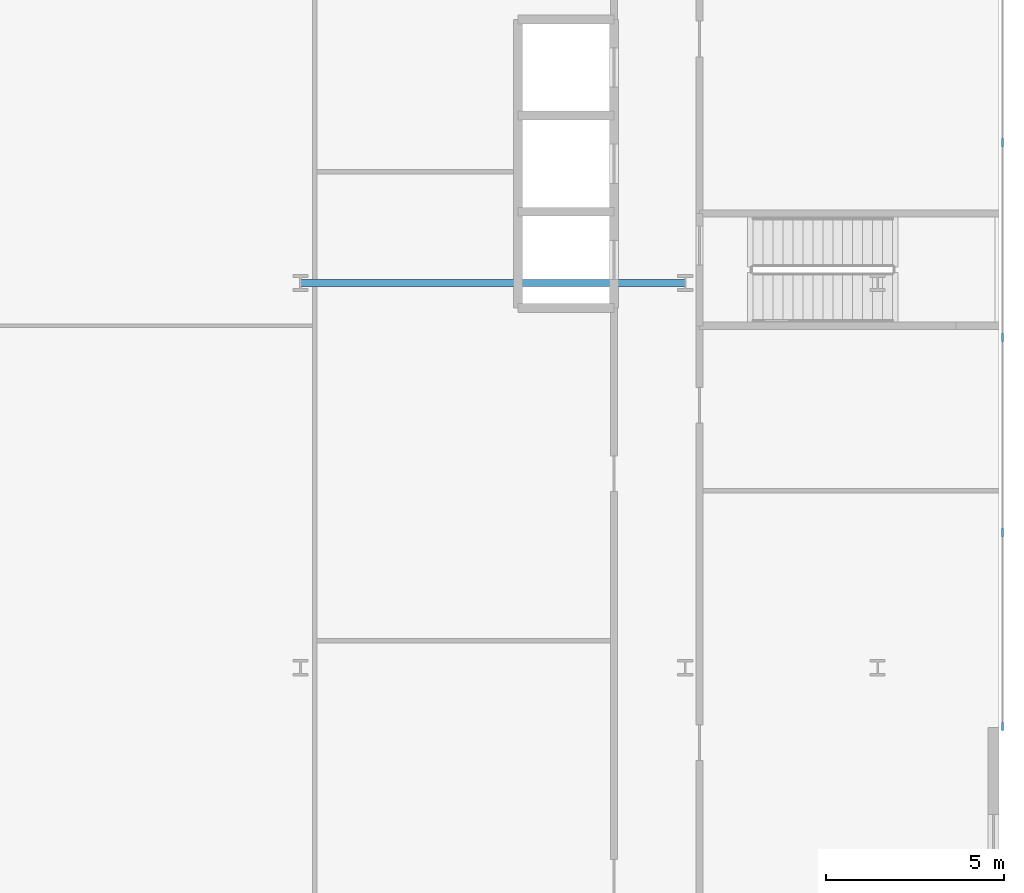
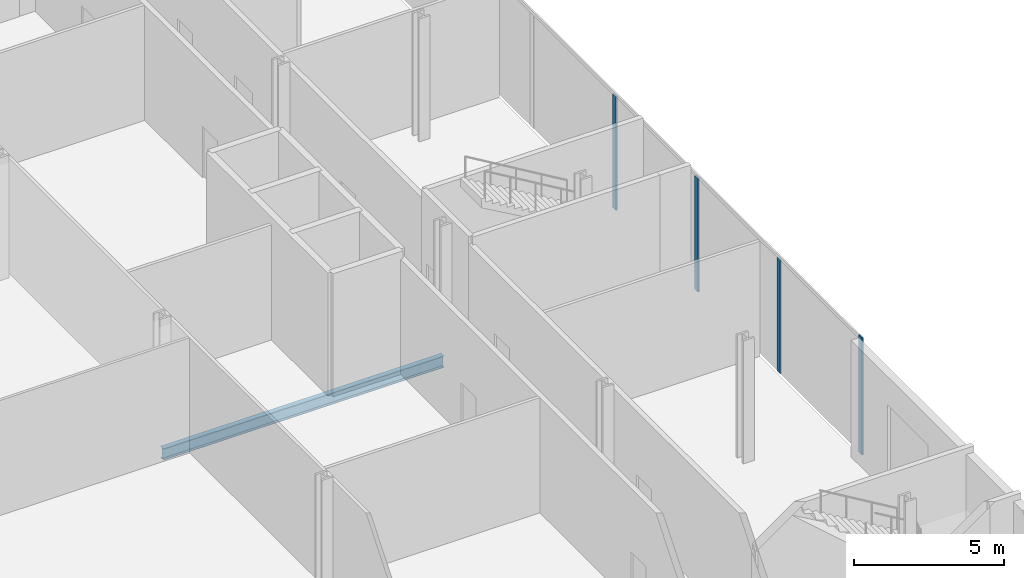
# One storey, part 13 of 47: 4 members, 1 beam, 1 element without a shape of its own.
"""IFC4 building model written with IfcOpenShell, lengths in metres."""

import ifcopenshell
import ifcopenshell.guid

model = None  # the IFC model being written
_history = None  # IfcOwnerHistory: only IFC2X3 demands one
_inside = {}  # id of a spatial element -> (the spatial element, [elements in it])
_under = {}  # id of a project, library or spatial element -> (it, [spatial elements below it])
_declared = {}  # id of a project -> (the project, [libraries it declares])
_typed = {}  # id of a type object -> (the type object, [elements of that type])
_made_of = {}  # id of a material, layer set ... -> (it, [elements and type objects made of it])


def new_model(schema):
    """Start an empty IFC model of exactly this schema.

    Asked for "IFC4X3", IfcOpenShell would pick the latest addendum, in which some entities
    have other attributes; the version numbers below select the first issue.
    IFC2X3 requires an IfcOwnerHistory on every rooted entity: one is made here for all.
    """
    global model, _history
    if schema == "IFC4X3":
        model = ifcopenshell.file(schema_version=(4, 3, 0, 0))
    else:
        model = ifcopenshell.file(schema=schema)
    _inside.clear()
    _under.clear()
    _declared.clear()
    _typed.clear()
    _made_of.clear()
    _history = None
    if model.schema == "IFC2X3":
        org = make("IfcOrganization", Name="unknown")
        user = make(
            "IfcPersonAndOrganization",
            ThePerson=make("IfcPerson", FamilyName="unknown"),
            TheOrganization=org,
        )
        app = make(
            "IfcApplication",
            ApplicationDeveloper=org,
            Version="unknown",
            ApplicationFullName="unknown",
            ApplicationIdentifier="unknown",
        )
        _history = make(
            "IfcOwnerHistory",
            OwningUser=user,
            OwningApplication=app,
            ChangeAction="ADDED",
            CreationDate=0,
        )
    return model


def make(cls, **values):
    """One entity of the class cls with the attributes given. An attribute that is None is left unset."""
    return model.create_entity(
        cls, **{name: value for name, value in values.items() if value is not None}
    )


def rooted(cls, **values):
    """An entity with a GlobalId (a new one), such as an element, a storey or a relation."""
    return make(cls, GlobalId=ifcopenshell.guid.new(), OwnerHistory=_history, **values)


def si_unit(unit_type, name, prefix=None):
    """IfcSIUnit, for example si_unit("LENGTHUNIT", "METRE", prefix="MILLI")."""
    return make("IfcSIUnit", UnitType=unit_type, Prefix=prefix, Name=name)


def assignment(units):
    """IfcUnitAssignment: the units of a project."""
    return None if units is None else make("IfcUnitAssignment", Units=units)


def point(xyz):
    """IfcCartesianPoint."""
    return None if xyz is None else make("IfcCartesianPoint", Coordinates=xyz)


def direction(xyz):
    """IfcDirection."""
    return None if xyz is None else make("IfcDirection", DirectionRatios=xyz)


def frame(location, z_axis=None, x_axis=None):
    """IfcAxis2Placement3D, a coordinate frame: its origin and axes. An axis left out is left unset."""
    return make(
        "IfcAxis2Placement3D",
        Location=point(location),
        Axis=direction(z_axis),
        RefDirection=direction(x_axis),
    )


def frame_2d(location, x_axis=None):
    """IfcAxis2Placement2D, a coordinate frame in the plane: its origin and x axis."""
    return make(
        "IfcAxis2Placement2D", Location=point(location), RefDirection=direction(x_axis)
    )


def origin():
    """The frame at (0, 0, 0) with its axes left unset."""
    return frame((0.0, 0.0, 0.0))


def origin_2d():
    """The frame at (0, 0) in the plane with its x axis left unset."""
    return frame_2d((0.0, 0.0))


def place(relative_to, where):
    """IfcLocalPlacement: puts the frame where relative to a parent placement (None: the world)."""
    return make(
        "IfcLocalPlacement", PlacementRelTo=relative_to, RelativePlacement=where
    )


def context(
    kind, dimensions, precision=None, world=None, true_north=None, identifier=None
):
    """IfcGeometricRepresentationContext, for example the 3D "Model" context."""
    return make(
        "IfcGeometricRepresentationContext",
        ContextIdentifier=identifier,
        ContextType=kind,
        CoordinateSpaceDimension=dimensions,
        Precision=precision,
        WorldCoordinateSystem=world,
        TrueNorth=true_north,
    )


def subcontext(parent, identifier, kind, view, scale=None):
    """IfcGeometricRepresentationSubContext, for example "Body" below "Model"."""
    return make(
        "IfcGeometricRepresentationSubContext",
        ContextIdentifier=identifier,
        ContextType=kind,
        ParentContext=parent,
        TargetScale=scale,
        TargetView=view,
    )


def project(units=None, contexts=None):
    """IfcProject with its units and contexts."""
    return rooted(
        "IfcProject",
        Name="project",
        RepresentationContexts=contexts,
        UnitsInContext=assignment(units),
    )


def spatial(cls, under=None, at=None, **own):
    """A site, building, storey or space (cls), placed at a placement, below another one or the project."""
    s = rooted(cls, ObjectPlacement=at, **own)
    if under is not None:
        _under.setdefault(under.id(), (under, []))[1].append(s)
    return s


def profile(cls, at=None, kind="AREA", **sizes):
    """A parametric profile (cls). Its sizes go by their IFC names, for example OverallWidth=200.0."""
    return make(cls, ProfileType=kind, Position=at, **sizes)


def rectangle(**sizes):
    """IfcRectangleProfileDef."""
    return profile("IfcRectangleProfileDef", **sizes)


def i_section(**sizes):
    """IfcIShapeProfileDef."""
    return profile("IfcIShapeProfileDef", **sizes)


def extrude(swept, where, along, depth):
    """IfcExtrudedAreaSolid: the profile swept, set in the frame where, extruded along a direction by depth."""
    return make(
        "IfcExtrudedAreaSolid",
        SweptArea=swept,
        Position=where,
        ExtrudedDirection=direction(along),
        Depth=depth,
    )


def shape(context_of_items, identifier, shape_type, items):
    """IfcShapeRepresentation: the items that make up one representation, for example the "Body"."""
    return make(
        "IfcShapeRepresentation",
        ContextOfItems=context_of_items,
        RepresentationIdentifier=identifier,
        RepresentationType=shape_type,
        Items=items,
    )


def material(Name=None, Category=None):
    """IfcMaterial."""
    return make("IfcMaterial", Name=Name, Category=Category)


def layer(
    of_material, thickness, ventilated=None, Name=None, Category=None, Priority=None
):
    """IfcMaterialLayer: one layer of a wall or slab, of a material (None: an air gap)."""
    return make(
        "IfcMaterialLayer",
        Material=of_material,
        LayerThickness=thickness,
        IsVentilated=ventilated,
        Name=Name,
        Category=Category,
        Priority=Priority,
    )


def layer_set(layers, Name=None):
    """IfcMaterialLayerSet."""
    return make("IfcMaterialLayerSet", MaterialLayers=layers, LayerSetName=Name)


def material_profile(
    of_material, cross_section, Name=None, Category=None, Priority=None
):
    """IfcMaterialProfile: a cross section and its material."""
    return make(
        "IfcMaterialProfile",
        Name=Name,
        Material=of_material,
        Profile=cross_section,
        Priority=Priority,
        Category=Category,
    )


def profile_set(profiles, Name=None, composite=None):
    """IfcMaterialProfileSet."""
    return make(
        "IfcMaterialProfileSet",
        Name=Name,
        MaterialProfiles=profiles,
        CompositeProfile=composite,
    )


def made_of(thing, what):
    """Note that an element or type object is made of a material, layer set ...; save() writes the relation."""
    if what is not None:
        _made_of.setdefault(what.id(), (what, []))[1].append(thing)
    return thing


def type_object(cls, material=None, **own):
    """A type object (cls), such as IfcWallType, which elements share."""
    return made_of(rooted(cls, **own), material)


def element(
    cls,
    number,
    at=None,
    inside=None,
    cuts=None,
    type_object=None,
    material=None,
    context=None,
    identifier="Body",
    shape_type=None,
    held_by="IfcProductDefinitionShape",
    body=None,
    shapes=None,
    **own,
):
    """One element of the class cls, such as IfcWall. Its Tag is "e" and its number.

    at: its placement. inside: the storey or other place that contains it. cuts: it is an
    opening in that element (IfcRelVoidsElement). A single representation is given by context,
    identifier, shape_type and body (its items); several are given by shapes. held_by: the class
    of the entity that holds the representations. save() writes the other relations.
    """
    e = rooted(cls, Tag="e%d" % number, ObjectPlacement=at, **own)
    if body is not None:
        shapes = [shape(context, identifier, shape_type, body)]
    if shapes is not None:
        e.Representation = make(held_by, Representations=shapes)
    if inside is not None:
        _inside.setdefault(inside.id(), (inside, []))[1].append(e)
    if cuts is not None:
        rooted(
            "IfcRelVoidsElement", RelatingBuildingElement=cuts, RelatedOpeningElement=e
        )
    if type_object is not None:
        _typed.setdefault(type_object.id(), (type_object, []))[1].append(e)
    return made_of(e, material)


def aggregate(whole, parts):
    """IfcRelAggregates: a whole, such as a stair, and the parts it consists of."""
    return rooted("IfcRelAggregates", RelatingObject=whole, RelatedObjects=parts)


def save(model, path):
    """Write the relations noted so far, then the file.

    IfcRelAggregates (storeys below a building ...), IfcRelContainedInSpatialStructure (elements
    in a storey), IfcRelDefinesByType, IfcRelAssociatesMaterial and IfcRelDeclares: one each for
    every whole, place, type object, material and project.
    """
    for whole, parts in _under.values():
        aggregate(whole, parts)
    for where, things in _inside.values():
        rooted(
            "IfcRelContainedInSpatialStructure",
            RelatedElements=things,
            RelatingStructure=where,
        )
    for kind, things in _typed.values():
        rooted("IfcRelDefinesByType", RelatedObjects=things, RelatingType=kind)
    for what, things in _made_of.values():
        rooted("IfcRelAssociatesMaterial", RelatedObjects=things, RelatingMaterial=what)
    for by, libraries in _declared.values():
        rooted("IfcRelDeclares", RelatingContext=by, RelatedDefinitions=libraries)
    model.write(path)


model = new_model("IFC4")

# Units and contexts
model_context = context("Model", 3, precision=1e-05, world=origin(), true_north=direction((0.0, 1.0)))
body_context = subcontext(model_context, "Body", "Model", "MODEL_VIEW")
ifc_project = project(units=[si_unit("LENGTHUNIT", "METRE"), si_unit("AREAUNIT", "SQUARE_METRE"), si_unit("VOLUMEUNIT", "CUBIC_METRE"), si_unit("PLANEANGLEUNIT", "RADIAN"), si_unit("MASSUNIT", "GRAM", prefix="KILO")], contexts=[model_context])

# Site, building, storey
site_placement = place(None, origin())
site = spatial("IfcSite", under=ifc_project, at=site_placement, CompositionType="ELEMENT")
building_placement = place(site_placement, origin())
building = spatial("IfcBuilding", under=site, at=building_placement, Name="Kheshtan School and Residences Tower", CompositionType="ELEMENT")
storey_placement = place(building_placement, frame((0.0, 0.0, 7.5)))
storey = spatial("IfcBuildingStorey", under=building, at=storey_placement, Name="L01", CompositionType="ELEMENT", Elevation=7.5)

# Beam
ifc_material_1 = material(Name="Steel ASTM A992 Grade 50", Category="steel")
ifc_material_profile_1 = material_profile(ifc_material_1, i_section(OverallWidth=0.194091796875, OverallDepth=0.468994140625, WebThickness=0.0126953125, FlangeThickness=0.0205078125, FilletRadius=0.01416015625, at=origin_2d()), Name="W460x106")
ifc_profile_set_1 = profile_set([ifc_material_profile_1], Name="Steel ASTM A992 Grade 50")
beam_type = type_object("IfcBeamType", Name="Beam PB2 W460x106 ASTM A992 Grade 50", PredefinedType="BEAM", material=ifc_profile_set_1)
beam_placement = place(storey_placement, frame((112.39990234375, 67.199951171875, -0.654541015625), z_axis=(1.0, 0.0, 0.0), x_axis=(0.0, 1.0, 0.0)))
element("IfcBeam", 1, at=beam_placement, inside=storey, type_object=beam_type, Name="Podium floor beam PB2", PredefinedType="BEAM", context=body_context, shape_type="SweptSolid", body=[
    extrude(i_section(OverallWidth=0.194091796875, OverallDepth=0.468994140625, WebThickness=0.0126953125, FlangeThickness=0.0205078125, FilletRadius=0.01416015625, at=origin_2d()), origin(), (0.0, 0.0, 1.0), 10.800048828125),
])

# Curtain wall, members
ifc_material_2 = material(Name="Clear low-e glass in thermally broken aluminium frame", Category="aluminium")
ifc_layer = layer(ifc_material_2, 0.22509765625)
ifc_layer_set = layer_set([ifc_layer], Name="Curtain wall CW-P")
curtain_wall_type = type_object("IfcCurtainWallType", Name="Curtain wall CW-P", PredefinedType="NOTDEFINED", material=ifc_layer_set)
curtain_wall_placement = place(storey_placement, origin())
curtain_wall = element("IfcCurtainWall", 2, at=curtain_wall_placement, inside=storey, type_object=curtain_wall_type, Name="Curtain wall CWP8", PredefinedType="NOTDEFINED")
ifc_material_3 = material(Name="Thermally broken aluminium, dark bronze anodised", Category="aluminium")
ifc_material_profile_2 = material_profile(ifc_material_3, rectangle(XDim=0.06005859375, YDim=0.22509765625, at=origin_2d()), Name="CW-P mullion 60x225")
ifc_profile_set_2 = profile_set([ifc_material_profile_2], Name="Thermally broken aluminium, dark bronze anodised")
member_type = type_object("IfcMemberType", Name="CW-P mullion 60x225", PredefinedType="MULLION", material=ifc_profile_set_2)
member_1_placement = place(storey_placement, frame((132.10009765625, 71.146728515625, 0.0), z_axis=(0.0, 0.0, 1.0), x_axis=(1.0, 0.0, 0.0)))
member_1 = element("IfcMember", 3, at=member_1_placement, type_object=member_type, Name="CWP8 mullion 7", PredefinedType="MULLION", context=body_context, shape_type="SweptSolid", body=[
    extrude(rectangle(XDim=0.06005859375, YDim=0.22509765625, at=origin_2d()), origin(), (0.0, 0.0, 1.0), 4.610107421875),
])
member_2_placement = place(storey_placement, frame((132.10009765625, 65.671142578125, 0.0), z_axis=(0.0, 0.0, 1.0), x_axis=(1.0, 0.0, 0.0)))
member_2 = element("IfcMember", 4, at=member_2_placement, type_object=member_type, Name="CWP8 mullion 8", PredefinedType="MULLION", context=body_context, shape_type="SweptSolid", body=[
    extrude(rectangle(XDim=0.06005859375, YDim=0.22509765625, at=origin_2d()), origin(), (0.0, 0.0, 1.0), 4.610107421875),
])
member_3_placement = place(storey_placement, frame((132.10009765625, 60.195556640625, 0.0), z_axis=(0.0, 0.0, 1.0), x_axis=(1.0, 0.0, 0.0)))
member_3 = element("IfcMember", 5, at=member_3_placement, type_object=member_type, Name="CWP8 mullion 9", PredefinedType="MULLION", context=body_context, shape_type="SweptSolid", body=[
    extrude(rectangle(XDim=0.06005859375, YDim=0.22509765625, at=origin_2d()), origin(), (0.0, 0.0, 1.0), 4.610107421875),
])
member_4_placement = place(storey_placement, frame((132.10009765625, 54.75, 0.0), z_axis=(0.0, 0.0, 1.0), x_axis=(1.0, 0.0, 0.0)))
member_4 = element("IfcMember", 6, at=member_4_placement, type_object=member_type, Name="CWP8 mullion 10", PredefinedType="MULLION", context=body_context, shape_type="SweptSolid", body=[
    extrude(rectangle(XDim=0.06005859375, YDim=0.22509765625, at=origin_2d()), origin(), (0.0, 0.0, 1.0), 4.75),
])
aggregate(curtain_wall, [member_1, member_2, member_3, member_4])

save(model, "model.ifc")
